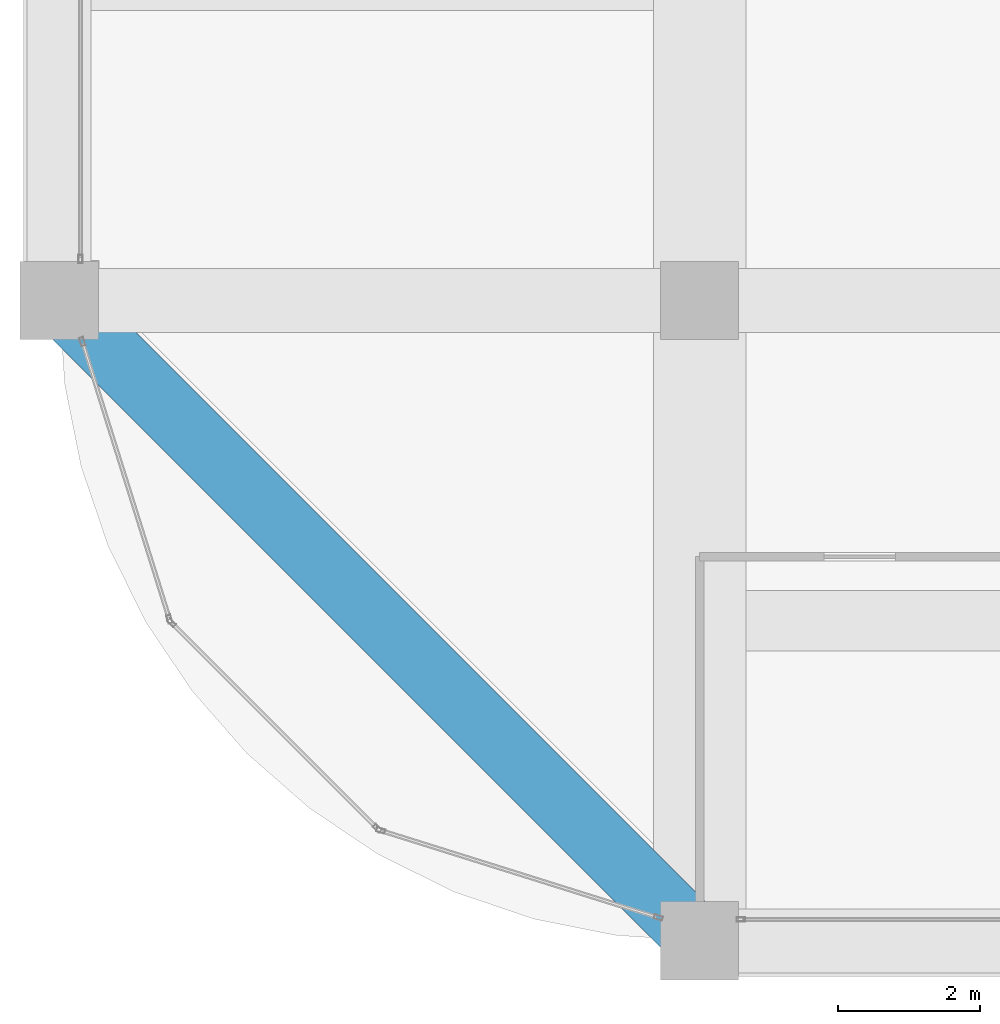
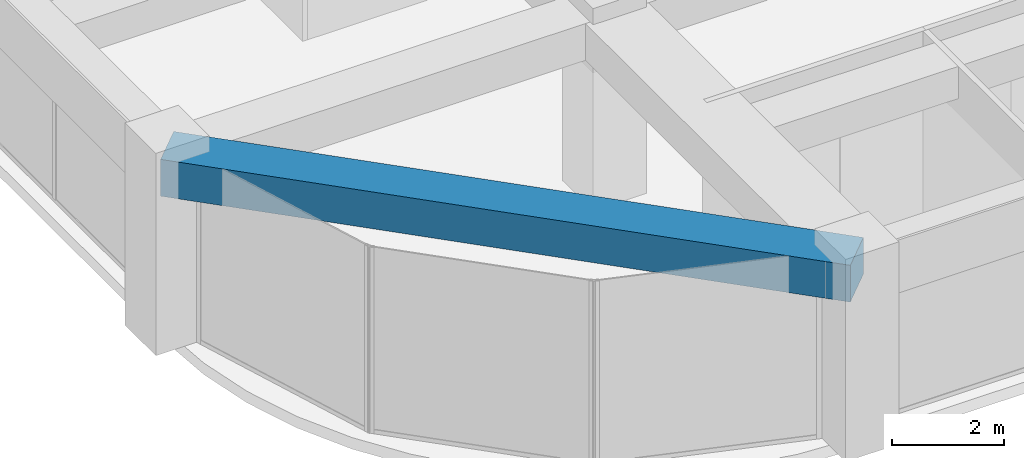
# One storey, part 3 of 44: 1 beam.
"""IFC4 building model written with IfcOpenShell, lengths in metres."""

from ifc_helpers import new_model, si_unit, direction, frame, origin, origin_2d, place, context, subcontext, project, spatial, rectangle, extrude, material, material_profile, profile_set, type_object, element, save


model = new_model("IFC4")

# Units and contexts
model_context = context("Model", 3, precision=1e-05, world=origin(), true_north=direction((0.0, 1.0)))
body_context = subcontext(model_context, "Body", "Model", "MODEL_VIEW")
ifc_project = project(units=[si_unit("LENGTHUNIT", "METRE"), si_unit("AREAUNIT", "SQUARE_METRE"), si_unit("VOLUMEUNIT", "CUBIC_METRE"), si_unit("PLANEANGLEUNIT", "RADIAN"), si_unit("MASSUNIT", "GRAM", prefix="KILO")], contexts=[model_context])

# Site, building, storey
site_placement = place(None, origin())
site = spatial("IfcSite", under=ifc_project, at=site_placement, CompositionType="ELEMENT")
building_placement = place(site_placement, origin())
building = spatial("IfcBuilding", under=site, at=building_placement, Name="Zorevar Civic Tower", CompositionType="ELEMENT")
storey_placement = place(building_placement, frame((0.0, 0.0, 307.39990234375)))
storey = spatial("IfcBuildingStorey", under=building, at=storey_placement, Name="L75", CompositionType="ELEMENT", Elevation=307.39990234375)

# Beam
ifc_material = material(Name="Concrete C50/60", Category="concrete")
ifc_material_profile = material_profile(ifc_material, rectangle(XDim=0.89990234375, YDim=0.800048828125, at=origin_2d()), Name="RC 900x800")
ifc_profile_set = profile_set([ifc_material_profile], Name="Concrete C50/60")
beam_type = type_object("IfcBeamType", Name="Edge beam RC 900x800", PredefinedType="SPANDREL", material=ifc_profile_set)
beam_placement = place(storey_placement, frame((9.0, 9.0, 3.650146484375), z_axis=(0.707106781187, -0.707106781187, 0.0), x_axis=(0.707106781187, 0.707106781187, 0.0)))
element("IfcBeam", 1, at=beam_placement, inside=storey, type_object=beam_type, Name="Corner edge beam RF", PredefinedType="SPANDREL", context=body_context, shape_type="SweptSolid", body=[
    extrude(rectangle(XDim=0.89990234375, YDim=0.800048828125, at=origin_2d()), origin(), (0.0, 0.0, 1.0), 12.72802734375),
])

save(model, "model.ifc")
